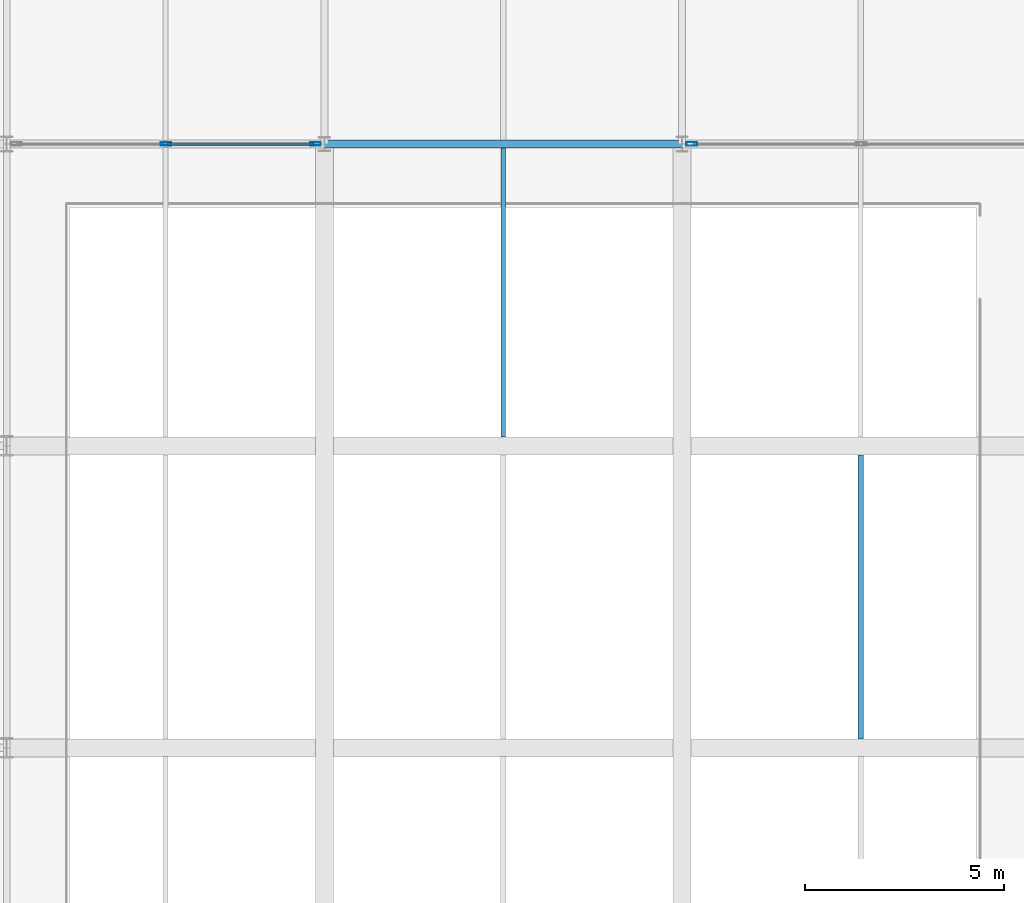
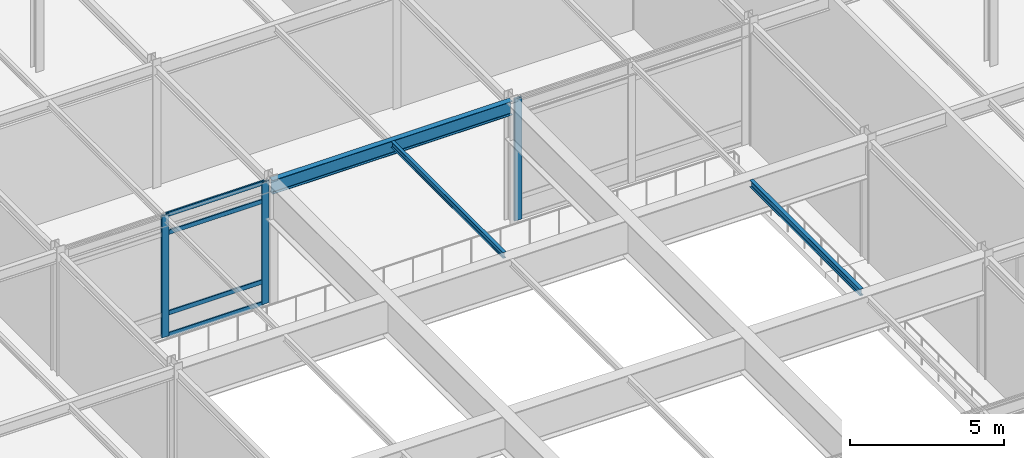
# One storey, part 33 of 79: 7 members, 3 beams, 2 elements without a shape of their own.
"""IFC4 building model written with IfcOpenShell, lengths in metres."""

from ifc_helpers import new_model, si_unit, direction, frame, origin, origin_2d, place, context, subcontext, project, spatial, hollow_rectangle, i_section, extrude, material, layer, layer_set, material_profile, profile_set, type_object, element, aggregate, save


model = new_model("IFC4")

# Units and contexts
model_context = context("Model", 3, precision=1e-05, world=origin(), true_north=direction((0.0, 1.0)))
body_context = subcontext(model_context, "Body", "Model", "MODEL_VIEW")
ifc_project = project(units=[si_unit("LENGTHUNIT", "METRE"), si_unit("AREAUNIT", "SQUARE_METRE"), si_unit("VOLUMEUNIT", "CUBIC_METRE"), si_unit("PLANEANGLEUNIT", "RADIAN"), si_unit("MASSUNIT", "GRAM", prefix="KILO")], contexts=[model_context])

# Site, building, storey
site_placement = place(None, origin())
site = spatial("IfcSite", under=ifc_project, at=site_placement, CompositionType="ELEMENT")
building_placement = place(site_placement, origin())
building = spatial("IfcBuilding", under=site, at=building_placement, Name="Shalkamar Park Central Library", CompositionType="ELEMENT")
storey_placement = place(building_placement, frame((0.0, 0.0, 10.5)))
storey = spatial("IfcBuildingStorey", under=building, at=storey_placement, Name="L03", CompositionType="ELEMENT", Elevation=10.5)

# Beams
ifc_material_1 = material(Name="Steel S355", Category="steel")
ifc_material_profile_1 = material_profile(ifc_material_1, i_section(OverallWidth=0.1201171875, OverallDepth=0.239990234375, WebThickness=0.006103515625, FlangeThickness=0.009765625, FilletRadius=0.014892578125, at=origin_2d()), Name="IPE 240")
ifc_profile_set_1 = profile_set([ifc_material_profile_1], Name="Steel S355")
beam_type_1 = type_object("IfcBeamType", Name="Composite Floor Joist IPE240", PredefinedType="JOIST", material=ifc_profile_set_1)
beam_1_placement = place(storey_placement, frame((241.5, 285.822998046875, 4.719970703125), z_axis=(0.0, 1.0, 0.0), x_axis=(-1.0, 0.0, 0.0)))
element("IfcBeam", 1, at=beam_1_placement, inside=storey, type_object=beam_type_1, Name="Composite Joist 16/G-1 (L03)", PredefinedType="JOIST", context=body_context, shape_type="SweptSolid", body=[
    extrude(i_section(OverallWidth=0.1201171875, OverallDepth=0.239990234375, WebThickness=0.006103515625, FlangeThickness=0.009765625, FilletRadius=0.014892578125, at=origin_2d()), origin(), (0.0, 0.0, 1.0), 7.27392578125),
])
ifc_material_profile_2 = material_profile(ifc_material_1, i_section(OverallWidth=0.135009765625, OverallDepth=0.27001953125, WebThickness=0.006591796875, FlangeThickness=0.01025390625, FilletRadius=0.014892578125, at=origin_2d()), Name="IPE 270")
ifc_profile_set_2 = profile_set([ifc_material_profile_2], Name="Steel S355")
beam_type_2 = type_object("IfcBeamType", Name="Composite Floor Joist IPE270", PredefinedType="JOIST", material=ifc_profile_set_2)
beam_2_placement = place(storey_placement, frame((250.5, 278.222900390625, 4.705078125), z_axis=(0.0, 1.0, 0.0), x_axis=(-1.0, 0.0, 0.0)))
element("IfcBeam", 2, at=beam_2_placement, inside=storey, type_object=beam_type_2, Name="Composite Joist 17/F-1 (L03)", PredefinedType="JOIST", context=body_context, shape_type="SweptSolid", body=[
    extrude(i_section(OverallWidth=0.135009765625, OverallDepth=0.27001953125, WebThickness=0.006591796875, FlangeThickness=0.01025390625, FilletRadius=0.014892578125, at=origin_2d()), origin(), (0.0, 0.0, 1.0), 7.154052734375),
])

# Curtain wall, members
ifc_material_2 = material(Name="Thermally broken aluminium and triple low-e curtain wall", Category="aluminium")
ifc_layer_1 = layer(ifc_material_2, 0.27001953125)
ifc_layer_set_1 = layer_set([ifc_layer_1], Name="AtriumGlazedScreen_123")
curtain_wall_type_1 = type_object("IfcCurtainWallType", Name="Atrium Glazed Screen 123", PredefinedType="USERDEFINED", material=ifc_layer_set_1)
curtain_wall_1_placement = place(storey_placement, origin())
curtain_wall_1 = element("IfcCurtainWall", 3, at=curtain_wall_1_placement, inside=storey, type_object=curtain_wall_type_1, Name="Atrium Glazed Screen CW-L03-180", ObjectType="ATRIUM GLAZED SCREEN", PredefinedType="USERDEFINED")
ifc_material_3 = material(Name="Aluminium 6060-T66", Category="aluminium")
ifc_material_profile_3 = material_profile(ifc_material_3, hollow_rectangle(XDim=0.080078125, YDim=0.27001953125, WallThickness=0.0048828125, InnerFilletRadius=0.0048828125, OuterFilletRadius=0.007568359375, at=origin_2d()), Name="ALU 80x270x5")
ifc_profile_set_3 = profile_set([ifc_material_profile_3], Name="Aluminium 6060-T66")
member_type_1 = type_object("IfcMemberType", Name="Curtain Wall Mullion ALU80x270", PredefinedType="MULLION", material=ifc_profile_set_3)
member_1_placement = place(storey_placement, frame((233.010009765625, 293.199951171875, 0.0), z_axis=(0.0, 0.0, 1.0), x_axis=(0.0, 1.0, 0.0)))
member_1 = element("IfcMember", 4, at=member_1_placement, type_object=member_type_1, Name="CW-123 mullion 2", PredefinedType="MULLION", context=body_context, shape_type="SweptSolid", body=[
    extrude(hollow_rectangle(XDim=0.080078125, YDim=0.27001953125, WallThickness=0.0048828125, InnerFilletRadius=0.0048828125, OuterFilletRadius=0.007568359375, at=origin_2d()), origin(), (0.0, 0.0, 1.0), 4.840087890625),
])
member_2_placement = place(storey_placement, frame((236.77587890625, 293.199951171875, 0.0), z_axis=(0.0, 0.0, 1.0), x_axis=(0.0, 1.0, 0.0)))
member_2 = element("IfcMember", 5, at=member_2_placement, type_object=member_type_1, Name="CW-123 mullion 3", PredefinedType="MULLION", context=body_context, shape_type="SweptSolid", body=[
    extrude(hollow_rectangle(XDim=0.080078125, YDim=0.27001953125, WallThickness=0.0048828125, InnerFilletRadius=0.0048828125, OuterFilletRadius=0.007568359375, at=origin_2d()), origin(), (0.0, 0.0, 1.0), 4.840087890625),
])

# Curtain wall, member
ifc_layer_2 = layer(ifc_material_2, 0.280029296875)
ifc_layer_set_2 = layer_set([ifc_layer_2], Name="AtriumGlazedScreen_124")
curtain_wall_type_2 = type_object("IfcCurtainWallType", Name="Atrium Glazed Screen 124", PredefinedType="USERDEFINED", material=ifc_layer_set_2)
curtain_wall_2_placement = place(storey_placement, origin())
curtain_wall_2 = element("IfcCurtainWall", 6, at=curtain_wall_2_placement, inside=storey, type_object=curtain_wall_type_2, Name="Atrium Glazed Screen CW-L03-181", ObjectType="ATRIUM GLAZED SCREEN", PredefinedType="USERDEFINED")
ifc_material_profile_4 = material_profile(ifc_material_3, hollow_rectangle(XDim=0.090087890625, YDim=0.280029296875, WallThickness=0.0048828125, InnerFilletRadius=0.0048828125, OuterFilletRadius=0.007568359375, at=origin_2d()), Name="ALU 90x280x5")
ifc_profile_set_4 = profile_set([ifc_material_profile_4], Name="Aluminium 6060-T66")
member_type_2 = type_object("IfcMemberType", Name="Curtain Wall Mullion ALU90x280", PredefinedType="MULLION", material=ifc_profile_set_4)
member_3_placement = place(storey_placement, frame((246.2490234375, 293.199951171875, 0.0), z_axis=(0.0, 0.0, 1.0), x_axis=(0.0, 1.0, 0.0)))
member_3 = element("IfcMember", 7, at=member_3_placement, type_object=member_type_2, Name="CW-124 mullion 1", PredefinedType="MULLION", context=body_context, shape_type="SweptSolid", body=[
    extrude(hollow_rectangle(XDim=0.090087890625, YDim=0.280029296875, WallThickness=0.0048828125, InnerFilletRadius=0.0048828125, OuterFilletRadius=0.007568359375, at=origin_2d()), origin(), (0.0, 0.0, 1.0), 4.840087890625),
])
aggregate(curtain_wall_2, [member_3])

# Member
ifc_material_profile_5 = material_profile(ifc_material_3, hollow_rectangle(XDim=0.06494140625, YDim=0.175048828125, WallThickness=0.00439453125, InnerFilletRadius=0.00439453125, OuterFilletRadius=0.0068359375, at=origin_2d()), Name="ALU 65x175x4.5")
ifc_profile_set_5 = profile_set([ifc_material_profile_5], Name="Aluminium 6060-T66")
member_type_3 = type_object("IfcMemberType", Name="Curtain Wall Transom ALU65x175", PredefinedType="USERDEFINED", material=ifc_profile_set_5)
member_4_placement = place(storey_placement, frame((233.050048828125, 293.199951171875, 0.032470703125), z_axis=(1.0, 0.0, 0.0), x_axis=(0.0, 1.0, 0.0)))
member_4 = element("IfcMember", 8, at=member_4_placement, type_object=member_type_3, Name="CW-123 transom 2.1", ObjectType="TRANSOM", PredefinedType="USERDEFINED", context=body_context, shape_type="SweptSolid", body=[
    extrude(hollow_rectangle(XDim=0.06494140625, YDim=0.175048828125, WallThickness=0.00439453125, InnerFilletRadius=0.00439453125, OuterFilletRadius=0.0068359375, at=origin_2d()), origin(), (0.0, 0.0, 1.0), 3.68603515625),
])

member_5_placement = place(storey_placement, frame((233.050048828125, 293.199951171875, 0.89990234375), z_axis=(1.0, 0.0, 0.0), x_axis=(0.0, 1.0, 0.0)))
member_5 = element("IfcMember", 9, at=member_5_placement, type_object=member_type_3, Name="CW-123 transom 2.2", ObjectType="TRANSOM", PredefinedType="USERDEFINED", context=body_context, shape_type="SweptSolid", body=[
    extrude(hollow_rectangle(XDim=0.06494140625, YDim=0.175048828125, WallThickness=0.00439453125, InnerFilletRadius=0.00439453125, OuterFilletRadius=0.0068359375, at=origin_2d()), origin(), (0.0, 0.0, 1.0), 3.68603515625),
])

member_6_placement = place(storey_placement, frame((233.050048828125, 293.199951171875, 4.090087890625), z_axis=(1.0, 0.0, 0.0), x_axis=(0.0, 1.0, 0.0)))
member_6 = element("IfcMember", 10, at=member_6_placement, type_object=member_type_3, Name="CW-123 transom 2.3", ObjectType="TRANSOM", PredefinedType="USERDEFINED", context=body_context, shape_type="SweptSolid", body=[
    extrude(hollow_rectangle(XDim=0.06494140625, YDim=0.175048828125, WallThickness=0.00439453125, InnerFilletRadius=0.00439453125, OuterFilletRadius=0.0068359375, at=origin_2d()), origin(), (0.0, 0.0, 1.0), 3.68603515625),
])

member_7_placement = place(storey_placement, frame((233.050048828125, 293.199951171875, 4.8076171875), z_axis=(1.0, 0.0, 0.0), x_axis=(0.0, 1.0, 0.0)))
member_7 = element("IfcMember", 11, at=member_7_placement, type_object=member_type_3, Name="CW-123 transom 2.4", ObjectType="TRANSOM", PredefinedType="USERDEFINED", context=body_context, shape_type="SweptSolid", body=[
    extrude(hollow_rectangle(XDim=0.06494140625, YDim=0.175048828125, WallThickness=0.00439453125, InnerFilletRadius=0.00439453125, OuterFilletRadius=0.0068359375, at=origin_2d()), origin(), (0.0, 0.0, 1.0), 3.68603515625),
])

aggregate(curtain_wall_1, [member_1, member_2, member_4, member_5, member_6, member_7])

# Beam
ifc_material_profile_6 = material_profile(ifc_material_1, i_section(OverallWidth=0.2099609375, OverallDepth=0.550048828125, WebThickness=0.010986328125, FlangeThickness=0.01708984375, FilletRadius=0.02392578125, at=origin_2d()), Name="IPE 550")
ifc_profile_set_6 = profile_set([ifc_material_profile_6], Name="Steel S355")
beam_type_3 = type_object("IfcBeamType", Name="Primary Girder IPE550", PredefinedType="BEAM", material=ifc_profile_set_6)
beam_3_placement = place(storey_placement, frame((237.0, 293.199951171875, 4.56494140625), z_axis=(1.0, 0.0, 0.0), x_axis=(0.0, 1.0, 0.0)))
element("IfcBeam", 12, at=beam_3_placement, inside=storey, type_object=beam_type_3, Name="Beam H:16-17 (L03)", PredefinedType="BEAM", context=body_context, shape_type="SweptSolid", body=[
    extrude(i_section(OverallWidth=0.2099609375, OverallDepth=0.550048828125, WebThickness=0.010986328125, FlangeThickness=0.01708984375, FilletRadius=0.02392578125, at=origin_2d()), origin(), (0.0, 0.0, 1.0), 9.0),
])

save(model, "model.ifc")
